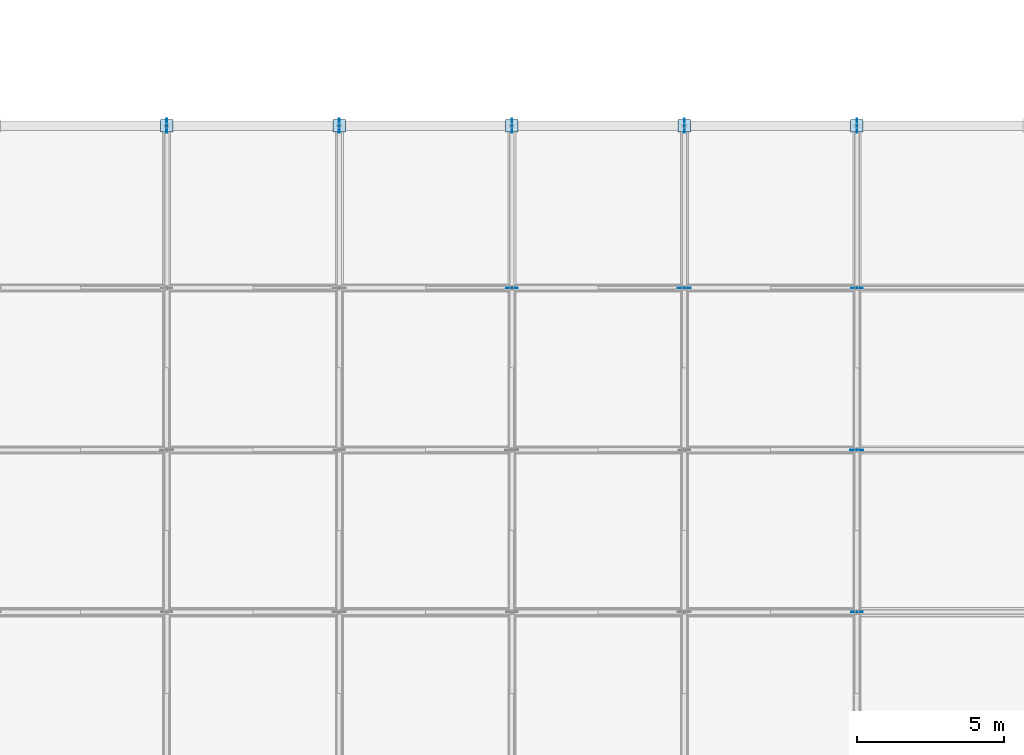
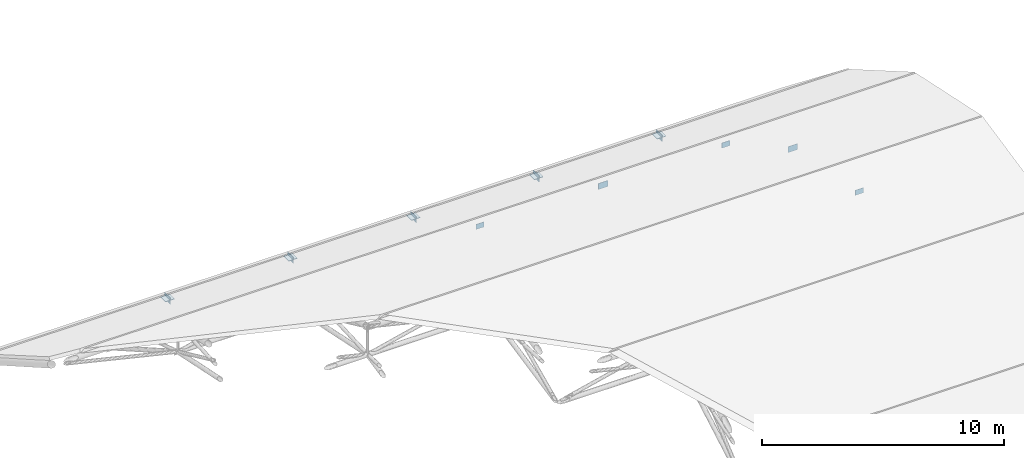
# One storey, part 80 of 82: 15 plates.
"""IFC4 building model written with IfcOpenShell, lengths in metres."""

from ifc_helpers import new_model, si_unit, direction, frame, origin, origin_2d, place, context, subcontext, project, spatial, rectangle, extrude, material, layer, layer_set, type_object, element, save


model = new_model("IFC4")

# Units and contexts
model_context = context("Model", 3, precision=1e-05, world=origin(), true_north=direction((0.0, 1.0)))
body_context = subcontext(model_context, "Body", "Model", "MODEL_VIEW")
ifc_project = project(units=[si_unit("LENGTHUNIT", "METRE"), si_unit("AREAUNIT", "SQUARE_METRE"), si_unit("VOLUMEUNIT", "CUBIC_METRE"), si_unit("PLANEANGLEUNIT", "RADIAN"), si_unit("MASSUNIT", "GRAM", prefix="KILO")], contexts=[model_context])

# Site, building, storey
site_placement = place(None, origin())
site = spatial("IfcSite", under=ifc_project, at=site_placement, CompositionType="ELEMENT")
building_placement = place(site_placement, origin())
building = spatial("IfcBuilding", under=site, at=building_placement, Name="Bramfleet General Hospital", CompositionType="ELEMENT")
storey_placement = place(building_placement, frame((0.0, 0.0, 34.199951171875)))
storey = spatial("IfcBuildingStorey", under=building, at=storey_placement, Name="Roof", CompositionType="ELEMENT", Elevation=34.199951171875)

# Plates
ifc_material = material(Name="Steel S355", Category="steel")
ifc_layer_1 = layer(ifc_material, 0.02490234375, Name="PL-BP-420")
ifc_layer_set_1 = layer_set([ifc_layer_1], Name="Steel S355")
plate_type_1 = type_object("IfcPlateType", Name="PL-BP-420", PredefinedType="USERDEFINED", material=ifc_layer_set_1)
for number, where, z_axis, x_axis, name in (
    (1, (62.5927734375, 50.35009765625, -19.449951171875), (0.0, 0.0, 1.0), (1.0, 0.0, 0.0), "Space Frame Bearing Base Plate 2-6"),
    (2, (68.46435546875, 50.35009765625, -19.449951171875), (0.0, 0.0, 1.0), (1.0, 0.0, 0.0), "Space Frame Bearing Base Plate 3-6"),
    (3, (74.335693359375, 50.35009765625, -19.449951171875), (0.0, 0.0, 1.0), (1.0, 0.0, 0.0), "Space Frame Bearing Base Plate 4-6"),
    (4, (80.20703125, 50.35009765625, -19.449951171875), (0.0, 0.0, 1.0), (1.0, 0.0, 0.0), "Space Frame Bearing Base Plate 5-6"),
    (5, (86.07861328125, 50.35009765625, -19.449951171875), (0.0, 0.0, 1.0), (1.0, 0.0, 0.0), "Space Frame Bearing Base Plate 6-6"),
):
    element("IfcPlate", number, at=place(storey_placement, frame(where, z_axis=z_axis, x_axis=x_axis)), inside=storey, type_object=plate_type_1, Name=name, ObjectType="Base plate", PredefinedType="USERDEFINED", context=body_context, shape_type="SweptSolid", body=[
        extrude(rectangle(XDim=0.419921875, YDim=0.419921875, at=origin_2d()), origin(), (0.0, 0.0, 1.0), 0.02490234375),
    ])
ifc_layer_2 = layer(ifc_material, 0.01806640625, Name="PL-GP-480")
ifc_layer_set_2 = layer_set([ifc_layer_2], Name="Steel S355")
plate_type_2 = type_object("IfcPlateType", Name="PL-GP-480", PredefinedType="USERDEFINED", material=ifc_layer_set_2)
for number, where, z_axis, x_axis, name in (
    (6, (62.5927734375, 50.35009765625, -19.60986328125), (0.0, 0.0, 1.0), (0.0, 1.0, 0.0), "Space Frame Arch Gusset Plate 2-6"),
    (7, (68.46435546875, 50.35009765625, -19.60986328125), (0.0, 0.0, 1.0), (0.0, 1.0, 0.0), "Space Frame Arch Gusset Plate 3-6"),
    (8, (74.335693359375, 50.35009765625, -19.60986328125), (0.0, 0.0, 1.0), (0.0, 1.0, 0.0), "Space Frame Arch Gusset Plate 4-6"),
    (9, (80.20703125, 50.35009765625, -19.60986328125), (0.0, 0.0, 1.0), (0.0, 1.0, 0.0), "Space Frame Arch Gusset Plate 5-6"),
    (10, (86.07861328125, 50.35009765625, -19.60986328125), (0.0, 0.0, 1.0), (0.0, 1.0, 0.0), "Space Frame Arch Gusset Plate 6-6"),
):
    element("IfcPlate", number, at=place(storey_placement, frame(where, z_axis=z_axis, x_axis=x_axis)), inside=storey, type_object=plate_type_2, Name=name, ObjectType="Gusset plate", PredefinedType="USERDEFINED", context=body_context, shape_type="SweptSolid", body=[
        extrude(rectangle(XDim=0.47998046875, YDim=0.01806640625, at=origin_2d()), origin(), (0.0, 0.0, 1.0), 0.320068359375),
    ])
ifc_layer_3 = layer(ifc_material, 0.013916015625, Name="PL-SP-390")
ifc_layer_set_3 = layer_set([ifc_layer_3], Name="Steel S355")
plate_type_3 = type_object("IfcPlateType", Name="PL-SP-390", PredefinedType="SHEET", material=ifc_layer_set_3)
for number, where, z_axis, x_axis, name in (
    (11, (74.335693359375, 44.833251953125, -16.68017578125), (0.0, 0.0, 1.0), (1.0, 0.0, 0.0), "Space Frame Node Splice Plate 4-5"),
    (12, (86.07861328125, 33.800048828125, -12.3798828125), (0.0, 0.0, 1.0), (1.0, 0.0, 0.0), "Space Frame Node Splice Plate 6-3"),
    (13, (86.07861328125, 44.833251953125, -16.68017578125), (0.0, 0.0, 1.0), (1.0, 0.0, 0.0), "Space Frame Node Splice Plate 6-5"),
):
    element("IfcPlate", number, at=place(storey_placement, frame(where, z_axis=z_axis, x_axis=x_axis)), inside=storey, type_object=plate_type_3, Name=name, PredefinedType="SHEET", context=body_context, shape_type="SweptSolid", body=[
        extrude(rectangle(XDim=0.389892578125, YDim=0.013916015625, at=origin_2d()), origin(), (0.0, 0.0, 1.0), 0.260009765625),
    ])
ifc_layer_4 = layer(ifc_material, 0.01611328125, Name="PL-SP-450")
ifc_layer_set_4 = layer_set([ifc_layer_4], Name="Steel S355")
plate_type_4 = type_object("IfcPlateType", Name="PL-SP-450", PredefinedType="SHEET", material=ifc_layer_set_4)
for number, where, z_axis, x_axis, name in (
    (14, (80.20703125, 44.833251953125, -16.7001953125), (0.0, 0.0, 1.0), (1.0, 0.0, 0.0), "Space Frame Node Splice Plate 5-5"),
    (15, (86.07861328125, 39.316650390625, -13.55224609375), (0.0, 0.0, 1.0), (1.0, 0.0, 0.0), "Space Frame Node Splice Plate 6-4"),
):
    element("IfcPlate", number, at=place(storey_placement, frame(where, z_axis=z_axis, x_axis=x_axis)), inside=storey, type_object=plate_type_4, Name=name, PredefinedType="SHEET", context=body_context, shape_type="SweptSolid", body=[
        extrude(rectangle(XDim=0.449951171875, YDim=0.01611328125, at=origin_2d()), origin(), (0.0, 0.0, 1.0), 0.300048828125),
    ])

save(model, "model.ifc")
